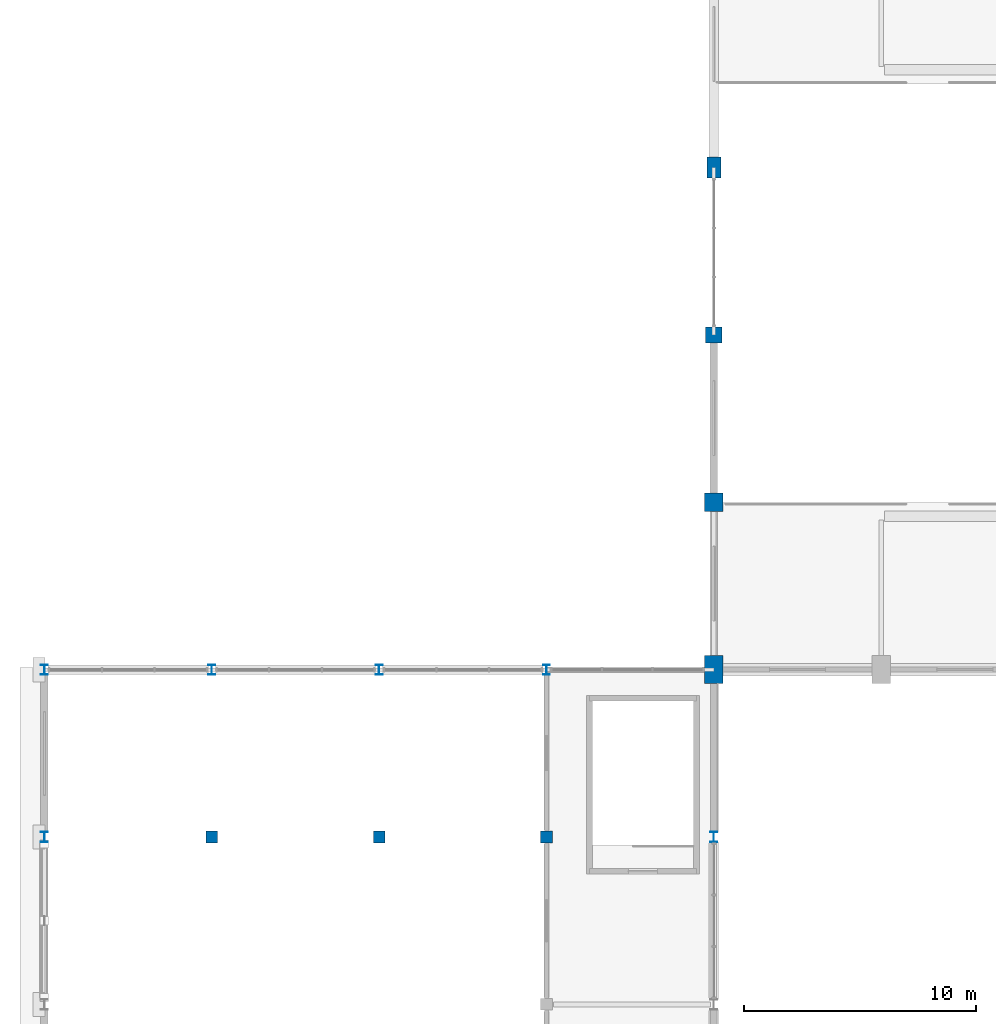
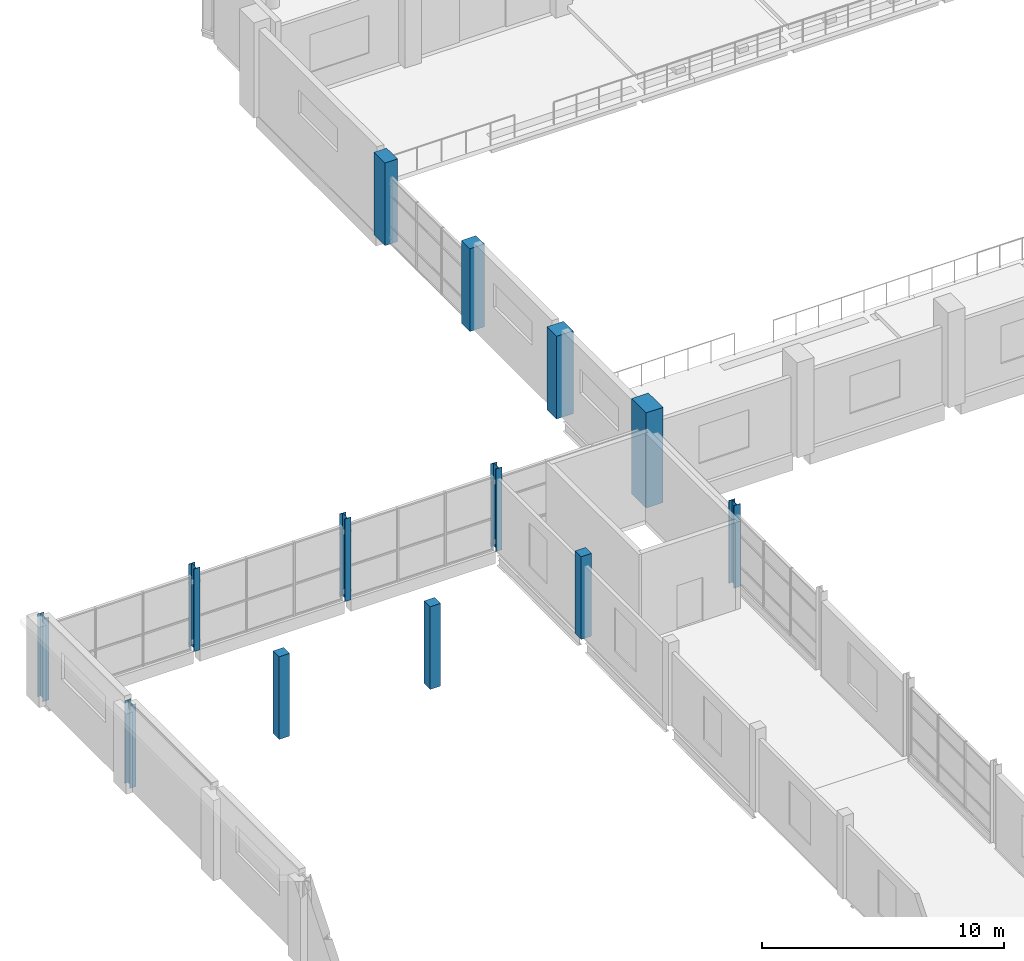
# One storey, part 6 of 71: 13 columns.
"""IFC4 building model written with IfcOpenShell, lengths in metres."""

import ifcopenshell
import ifcopenshell.guid

model = None  # the IFC model being written
_history = None  # IfcOwnerHistory: only IFC2X3 demands one
_inside = {}  # id of a spatial element -> (the spatial element, [elements in it])
_under = {}  # id of a project, library or spatial element -> (it, [spatial elements below it])
_declared = {}  # id of a project -> (the project, [libraries it declares])
_typed = {}  # id of a type object -> (the type object, [elements of that type])
_made_of = {}  # id of a material, layer set ... -> (it, [elements and type objects made of it])


def new_model(schema):
    """Start an empty IFC model of exactly this schema.

    Asked for "IFC4X3", IfcOpenShell would pick the latest addendum, in which some entities
    have other attributes; the version numbers below select the first issue.
    IFC2X3 requires an IfcOwnerHistory on every rooted entity: one is made here for all.
    """
    global model, _history
    if schema == "IFC4X3":
        model = ifcopenshell.file(schema_version=(4, 3, 0, 0))
    else:
        model = ifcopenshell.file(schema=schema)
    _inside.clear()
    _under.clear()
    _declared.clear()
    _typed.clear()
    _made_of.clear()
    _history = None
    if model.schema == "IFC2X3":
        org = make("IfcOrganization", Name="unknown")
        user = make(
            "IfcPersonAndOrganization",
            ThePerson=make("IfcPerson", FamilyName="unknown"),
            TheOrganization=org,
        )
        app = make(
            "IfcApplication",
            ApplicationDeveloper=org,
            Version="unknown",
            ApplicationFullName="unknown",
            ApplicationIdentifier="unknown",
        )
        _history = make(
            "IfcOwnerHistory",
            OwningUser=user,
            OwningApplication=app,
            ChangeAction="ADDED",
            CreationDate=0,
        )
    return model


def make(cls, **values):
    """One entity of the class cls with the attributes given. An attribute that is None is left unset."""
    return model.create_entity(
        cls, **{name: value for name, value in values.items() if value is not None}
    )


def rooted(cls, **values):
    """An entity with a GlobalId (a new one), such as an element, a storey or a relation."""
    return make(cls, GlobalId=ifcopenshell.guid.new(), OwnerHistory=_history, **values)


def si_unit(unit_type, name, prefix=None):
    """IfcSIUnit, for example si_unit("LENGTHUNIT", "METRE", prefix="MILLI")."""
    return make("IfcSIUnit", UnitType=unit_type, Prefix=prefix, Name=name)


def assignment(units):
    """IfcUnitAssignment: the units of a project."""
    return None if units is None else make("IfcUnitAssignment", Units=units)


def point(xyz):
    """IfcCartesianPoint."""
    return None if xyz is None else make("IfcCartesianPoint", Coordinates=xyz)


def direction(xyz):
    """IfcDirection."""
    return None if xyz is None else make("IfcDirection", DirectionRatios=xyz)


def frame(location, z_axis=None, x_axis=None):
    """IfcAxis2Placement3D, a coordinate frame: its origin and axes. An axis left out is left unset."""
    return make(
        "IfcAxis2Placement3D",
        Location=point(location),
        Axis=direction(z_axis),
        RefDirection=direction(x_axis),
    )


def frame_2d(location, x_axis=None):
    """IfcAxis2Placement2D, a coordinate frame in the plane: its origin and x axis."""
    return make(
        "IfcAxis2Placement2D", Location=point(location), RefDirection=direction(x_axis)
    )


def origin():
    """The frame at (0, 0, 0) with its axes left unset."""
    return frame((0.0, 0.0, 0.0))


def origin_2d():
    """The frame at (0, 0) in the plane with its x axis left unset."""
    return frame_2d((0.0, 0.0))


def place(relative_to, where):
    """IfcLocalPlacement: puts the frame where relative to a parent placement (None: the world)."""
    return make(
        "IfcLocalPlacement", PlacementRelTo=relative_to, RelativePlacement=where
    )


def context(
    kind, dimensions, precision=None, world=None, true_north=None, identifier=None
):
    """IfcGeometricRepresentationContext, for example the 3D "Model" context."""
    return make(
        "IfcGeometricRepresentationContext",
        ContextIdentifier=identifier,
        ContextType=kind,
        CoordinateSpaceDimension=dimensions,
        Precision=precision,
        WorldCoordinateSystem=world,
        TrueNorth=true_north,
    )


def subcontext(parent, identifier, kind, view, scale=None):
    """IfcGeometricRepresentationSubContext, for example "Body" below "Model"."""
    return make(
        "IfcGeometricRepresentationSubContext",
        ContextIdentifier=identifier,
        ContextType=kind,
        ParentContext=parent,
        TargetScale=scale,
        TargetView=view,
    )


def project(units=None, contexts=None):
    """IfcProject with its units and contexts."""
    return rooted(
        "IfcProject",
        Name="project",
        RepresentationContexts=contexts,
        UnitsInContext=assignment(units),
    )


def spatial(cls, under=None, at=None, **own):
    """A site, building, storey or space (cls), placed at a placement, below another one or the project."""
    s = rooted(cls, ObjectPlacement=at, **own)
    if under is not None:
        _under.setdefault(under.id(), (under, []))[1].append(s)
    return s


def profile(cls, at=None, kind="AREA", **sizes):
    """A parametric profile (cls). Its sizes go by their IFC names, for example OverallWidth=200.0."""
    return make(cls, ProfileType=kind, Position=at, **sizes)


def rectangle(**sizes):
    """IfcRectangleProfileDef."""
    return profile("IfcRectangleProfileDef", **sizes)


def i_section(**sizes):
    """IfcIShapeProfileDef."""
    return profile("IfcIShapeProfileDef", **sizes)


def extrude(swept, where, along, depth):
    """IfcExtrudedAreaSolid: the profile swept, set in the frame where, extruded along a direction by depth."""
    return make(
        "IfcExtrudedAreaSolid",
        SweptArea=swept,
        Position=where,
        ExtrudedDirection=direction(along),
        Depth=depth,
    )


def shape(context_of_items, identifier, shape_type, items):
    """IfcShapeRepresentation: the items that make up one representation, for example the "Body"."""
    return make(
        "IfcShapeRepresentation",
        ContextOfItems=context_of_items,
        RepresentationIdentifier=identifier,
        RepresentationType=shape_type,
        Items=items,
    )


def material(Name=None, Category=None):
    """IfcMaterial."""
    return make("IfcMaterial", Name=Name, Category=Category)


def material_profile(
    of_material, cross_section, Name=None, Category=None, Priority=None
):
    """IfcMaterialProfile: a cross section and its material."""
    return make(
        "IfcMaterialProfile",
        Name=Name,
        Material=of_material,
        Profile=cross_section,
        Priority=Priority,
        Category=Category,
    )


def profile_set(profiles, Name=None, composite=None):
    """IfcMaterialProfileSet."""
    return make(
        "IfcMaterialProfileSet",
        Name=Name,
        MaterialProfiles=profiles,
        CompositeProfile=composite,
    )


def made_of(thing, what):
    """Note that an element or type object is made of a material, layer set ...; save() writes the relation."""
    if what is not None:
        _made_of.setdefault(what.id(), (what, []))[1].append(thing)
    return thing


def type_object(cls, material=None, **own):
    """A type object (cls), such as IfcWallType, which elements share."""
    return made_of(rooted(cls, **own), material)


def element(
    cls,
    number,
    at=None,
    inside=None,
    cuts=None,
    type_object=None,
    material=None,
    context=None,
    identifier="Body",
    shape_type=None,
    held_by="IfcProductDefinitionShape",
    body=None,
    shapes=None,
    **own,
):
    """One element of the class cls, such as IfcWall. Its Tag is "e" and its number.

    at: its placement. inside: the storey or other place that contains it. cuts: it is an
    opening in that element (IfcRelVoidsElement). A single representation is given by context,
    identifier, shape_type and body (its items); several are given by shapes. held_by: the class
    of the entity that holds the representations. save() writes the other relations.
    """
    e = rooted(cls, Tag="e%d" % number, ObjectPlacement=at, **own)
    if body is not None:
        shapes = [shape(context, identifier, shape_type, body)]
    if shapes is not None:
        e.Representation = make(held_by, Representations=shapes)
    if inside is not None:
        _inside.setdefault(inside.id(), (inside, []))[1].append(e)
    if cuts is not None:
        rooted(
            "IfcRelVoidsElement", RelatingBuildingElement=cuts, RelatedOpeningElement=e
        )
    if type_object is not None:
        _typed.setdefault(type_object.id(), (type_object, []))[1].append(e)
    return made_of(e, material)


def aggregate(whole, parts):
    """IfcRelAggregates: a whole, such as a stair, and the parts it consists of."""
    return rooted("IfcRelAggregates", RelatingObject=whole, RelatedObjects=parts)


def save(model, path):
    """Write the relations noted so far, then the file.

    IfcRelAggregates (storeys below a building ...), IfcRelContainedInSpatialStructure (elements
    in a storey), IfcRelDefinesByType, IfcRelAssociatesMaterial and IfcRelDeclares: one each for
    every whole, place, type object, material and project.
    """
    for whole, parts in _under.values():
        aggregate(whole, parts)
    for where, things in _inside.values():
        rooted(
            "IfcRelContainedInSpatialStructure",
            RelatedElements=things,
            RelatingStructure=where,
        )
    for kind, things in _typed.values():
        rooted("IfcRelDefinesByType", RelatedObjects=things, RelatingType=kind)
    for what, things in _made_of.values():
        rooted("IfcRelAssociatesMaterial", RelatedObjects=things, RelatingMaterial=what)
    for by, libraries in _declared.values():
        rooted("IfcRelDeclares", RelatingContext=by, RelatedDefinitions=libraries)
    model.write(path)


model = new_model("IFC4")

# Units and contexts
model_context = context("Model", 3, precision=1e-05, world=origin(), true_north=direction((0.0, 1.0)))
body_context = subcontext(model_context, "Body", "Model", "MODEL_VIEW")
ifc_project = project(units=[si_unit("LENGTHUNIT", "METRE"), si_unit("AREAUNIT", "SQUARE_METRE"), si_unit("VOLUMEUNIT", "CUBIC_METRE"), si_unit("PLANEANGLEUNIT", "RADIAN"), si_unit("MASSUNIT", "GRAM", prefix="KILO")], contexts=[model_context])

# Site, building, storey
site_placement = place(None, origin())
site = spatial("IfcSite", under=ifc_project, at=site_placement, CompositionType="ELEMENT")
building_placement = place(site_placement, origin())
building = spatial("IfcBuilding", under=site, at=building_placement, Name="Sardonyx Promenade Sports Hall", CompositionType="ELEMENT")
storey_placement = place(building_placement, frame((0.0, 0.0, 16.0)))
storey = spatial("IfcBuildingStorey", under=building, at=storey_placement, Name="L03", CompositionType="ELEMENT", Elevation=16.0)

# Columns
ifc_material_1 = material(Name="Steel S355JR", Category="steel")
ifc_material_profile_1 = material_profile(ifc_material_1, i_section(OverallWidth=0.300048828125, OverallDepth=0.43994140625, WebThickness=0.011474609375, FlangeThickness=0.02099609375, at=origin_2d()))
ifc_profile_set_1 = profile_set([ifc_material_profile_1], Name="Steel S355JR")
column_type_1 = type_object("IfcColumnType", Name="Col_Ext_HEA450", PredefinedType="COLUMN", material=ifc_profile_set_1)
for number, where, z_axis, x_axis, name in (
    (1, (0.0, 64.800048828125, 0.0), (0.0, 0.0, 1.0), (1.0, 0.0, 0.0), "Column CE10 L03 (0.0,64.8)"),
    (2, (0.0, 72.0, 0.0), (0.0, 0.0, 1.0), (1.0, 0.0, 0.0), "Column CE10 L03 (0.0,72.0)"),
    (3, (7.199951171875, 72.0, 0.0), (0.0, 0.0, 1.0), (1.0, 0.0, 0.0), "Column CE10 L03 (7.2,72.0)"),
    (4, (14.39990234375, 72.0, 0.0), (0.0, 0.0, 1.0), (1.0, 0.0, 0.0), "Column CE10 L03 (14.4,72.0)"),
    (5, (21.60009765625, 72.0, 0.0), (0.0, 0.0, 1.0), (1.0, 0.0, 0.0), "Column CE10 L03 (21.6,72.0)"),
    (6, (28.800048828125, 64.800048828125, 0.0), (0.0, 0.0, 1.0), (1.0, 0.0, 0.0), "Column CE10 L03 (28.8,64.8)"),
):
    element("IfcColumn", number, at=place(storey_placement, frame(where, z_axis=z_axis, x_axis=x_axis)), inside=storey, type_object=column_type_1, Name=name, PredefinedType="COLUMN", context=body_context, shape_type="SweptSolid", body=[
        extrude(i_section(OverallWidth=0.300048828125, OverallDepth=0.43994140625, WebThickness=0.011474609375, FlangeThickness=0.02099609375, at=origin_2d()), origin(), (0.0, 0.0, 1.0), 4.169921875),
    ])
ifc_material_2 = material(Name="Concrete C40/50", Category="concrete")
ifc_material_profile_2 = material_profile(ifc_material_2, rectangle(XDim=0.60009765625, YDim=0.89990234375, at=origin_2d()))
ifc_profile_set_2 = profile_set([ifc_material_profile_2], Name="Concrete C40/50")
column_type_2 = type_object("IfcColumnType", Name="Col_Ext_RC600x900", PredefinedType="COLUMN", material=ifc_profile_set_2)
column_1_placement = place(storey_placement, frame((28.800048828125, 93.60009765625, 0.0), z_axis=(0.0, 0.0, 1.0), x_axis=(1.0, 0.0, 0.0)))
element("IfcColumn", 7, at=column_1_placement, inside=storey, type_object=column_type_2, Name="Column CE12 L03 (28.8,93.6)", PredefinedType="COLUMN", context=body_context, shape_type="SweptSolid", body=[
    extrude(rectangle(XDim=0.60009765625, YDim=0.89990234375, at=origin_2d()), origin(), (0.0, 0.0, 1.0), 4.169921875),
])
ifc_material_3 = material(Name="Concrete C40/50", Category="concrete")
ifc_material_profile_3 = material_profile(ifc_material_3, rectangle(XDim=0.699951171875, YDim=0.699951171875, at=origin_2d()))
ifc_profile_set_3 = profile_set([ifc_material_profile_3], Name="Concrete C40/50")
column_type_3 = type_object("IfcColumnType", Name="Col_Ext_RC700", PredefinedType="COLUMN", material=ifc_profile_set_3)
column_2_placement = place(storey_placement, frame((28.800048828125, 86.39990234375, 0.0), z_axis=(0.0, 0.0, 1.0), x_axis=(1.0, 0.0, 0.0)))
element("IfcColumn", 8, at=column_2_placement, inside=storey, type_object=column_type_3, Name="Column CE05 L03 (28.8,86.4)", PredefinedType="COLUMN", context=body_context, shape_type="SweptSolid", body=[
    extrude(rectangle(XDim=0.699951171875, YDim=0.699951171875, at=origin_2d()), origin(), (0.0, 0.0, 1.0), 4.169921875),
])
ifc_material_4 = material(Name="Concrete C50/60", Category="concrete")
ifc_material_profile_4 = material_profile(ifc_material_4, rectangle(XDim=0.800048828125, YDim=0.800048828125, at=origin_2d()))
ifc_profile_set_4 = profile_set([ifc_material_profile_4], Name="Concrete C50/60")
column_type_4 = type_object("IfcColumnType", Name="Col_Ext_RC800", PredefinedType="COLUMN", material=ifc_profile_set_4)
column_3_placement = place(storey_placement, frame((28.800048828125, 79.199951171875, 0.0), z_axis=(0.0, 0.0, 1.0), x_axis=(1.0, 0.0, 0.0)))
element("IfcColumn", 9, at=column_3_placement, inside=storey, type_object=column_type_4, Name="Column CE13 L03 (28.8,79.2)", PredefinedType="COLUMN", context=body_context, shape_type="SweptSolid", body=[
    extrude(rectangle(XDim=0.800048828125, YDim=0.800048828125, at=origin_2d()), origin(), (0.0, 0.0, 1.0), 4.169921875),
])
ifc_material_5 = material(Name="Concrete C50/60", Category="concrete")
ifc_material_profile_5 = material_profile(ifc_material_5, rectangle(XDim=0.800048828125, YDim=1.199951171875, at=origin_2d()))
ifc_profile_set_5 = profile_set([ifc_material_profile_5], Name="Concrete C50/60")
column_type_5 = type_object("IfcColumnType", Name="Col_Ext_RC800x1200", PredefinedType="COLUMN", material=ifc_profile_set_5)
column_4_placement = place(storey_placement, frame((28.800048828125, 72.0, 0.0), z_axis=(0.0, 0.0, 1.0), x_axis=(1.0, 0.0, 0.0)))
element("IfcColumn", 10, at=column_4_placement, inside=storey, type_object=column_type_5, Name="Column CE08 L03 (28.8,72.0)", PredefinedType="COLUMN", context=body_context, shape_type="SweptSolid", body=[
    extrude(rectangle(XDim=0.800048828125, YDim=1.199951171875, at=origin_2d()), origin(), (0.0, 0.0, 1.0), 4.800048828125),
])
ifc_material_6 = material(Name="Concrete C40/50", Category="concrete")
ifc_material_profile_6 = material_profile(ifc_material_6, rectangle(XDim=0.5, YDim=0.5, at=origin_2d()))
ifc_profile_set_6 = profile_set([ifc_material_profile_6], Name="Concrete C40/50")
column_type_6 = type_object("IfcColumnType", Name="Col_Int_RC500", PredefinedType="COLUMN", material=ifc_profile_set_6)
for number, where, z_axis, x_axis, name in (
    (11, (7.199951171875, 64.800048828125, 0.0), (0.0, 0.0, 1.0), (1.0, 0.0, 0.0), "Column CI06 L03 (7.2,64.8)"),
    (12, (14.39990234375, 64.800048828125, 0.0), (0.0, 0.0, 1.0), (1.0, 0.0, 0.0), "Column CI06 L03 (14.4,64.8)"),
    (13, (21.60009765625, 64.800048828125, 0.0), (0.0, 0.0, 1.0), (1.0, 0.0, 0.0), "Column CI06 L03 (21.6,64.8)"),
):
    element("IfcColumn", number, at=place(storey_placement, frame(where, z_axis=z_axis, x_axis=x_axis)), inside=storey, type_object=column_type_6, Name=name, PredefinedType="COLUMN", context=body_context, shape_type="SweptSolid", body=[
        extrude(rectangle(XDim=0.5, YDim=0.5, at=origin_2d()), origin(), (0.0, 0.0, 1.0), 4.169921875),
    ])

save(model, "model.ifc")
